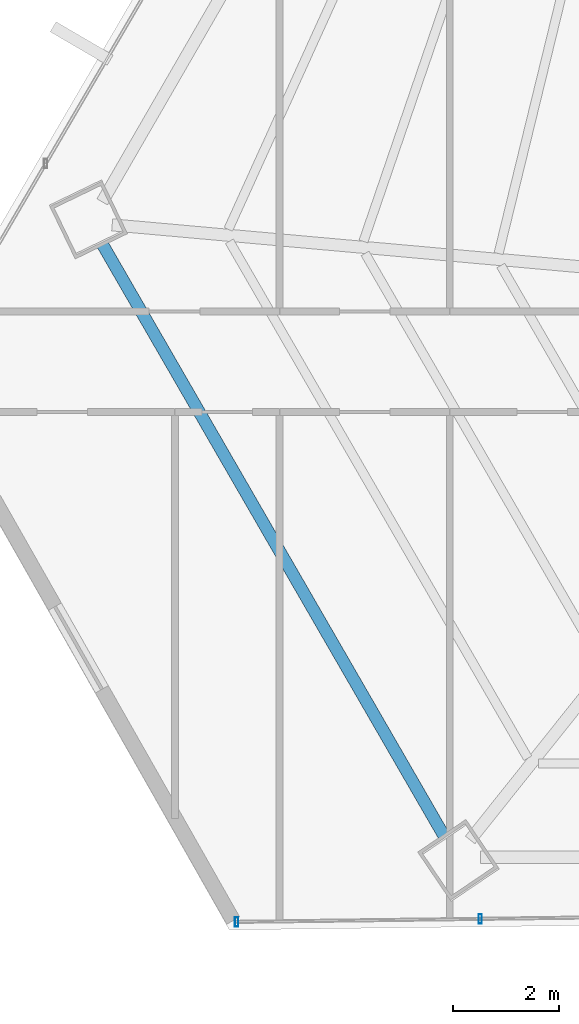
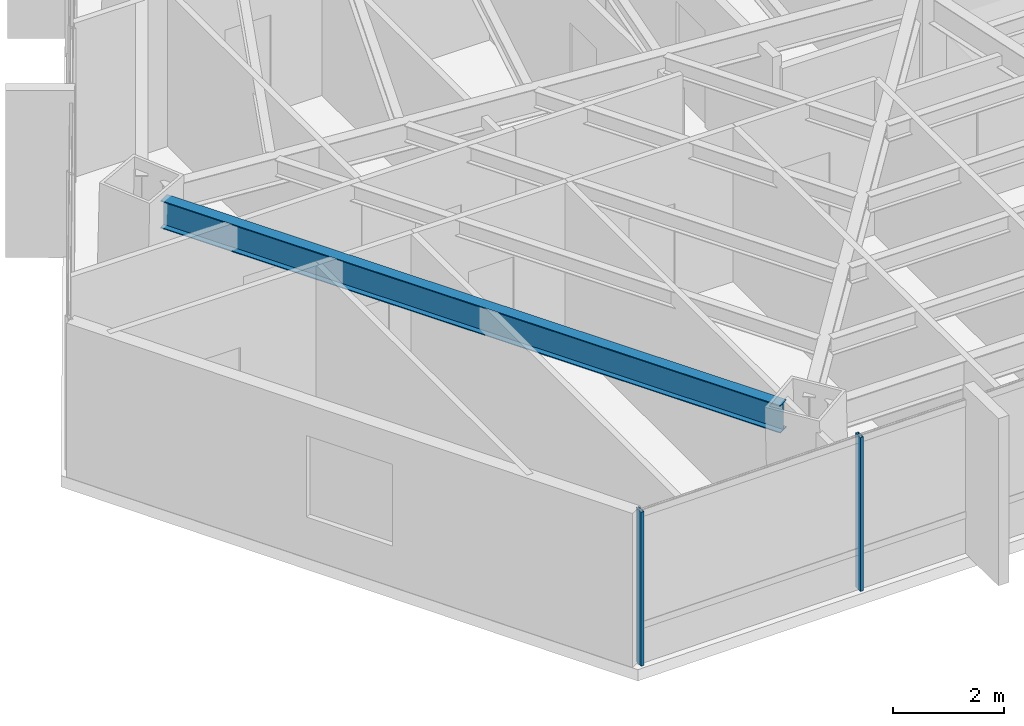
# One storey, part 2 of 35: 2 members, 1 beam, 1 element without a shape of its own.
"""IFC4 building model written with IfcOpenShell, lengths in metres."""

from ifc_helpers import new_model, si_unit, direction, frame, origin, origin_2d, place, context, subcontext, project, spatial, hollow_rectangle, i_section, extrude, source, transform, mapped, material, material_profile, profile_set, type_object, type_shapes, element, aggregate, save


model = new_model("IFC4")

# Units and contexts
model_context = context("Model", 3, precision=1e-05, world=origin(), true_north=direction((0.0, 1.0)))
body_context = subcontext(model_context, "Body", "Model", "MODEL_VIEW")
ifc_project = project(units=[si_unit("LENGTHUNIT", "METRE"), si_unit("AREAUNIT", "SQUARE_METRE"), si_unit("VOLUMEUNIT", "CUBIC_METRE"), si_unit("PLANEANGLEUNIT", "RADIAN"), si_unit("MASSUNIT", "GRAM", prefix="KILO")], contexts=[model_context])

# Site, building, storey
site_placement = place(None, origin())
site = spatial("IfcSite", under=ifc_project, at=site_placement, CompositionType="ELEMENT")
building_placement = place(site_placement, origin())
building = spatial("IfcBuilding", under=site, at=building_placement, Name="Caelisora Broadcast Tower", CompositionType="ELEMENT")
storey_placement = place(building_placement, frame((0.0, 0.0, 123.64990234375)))
storey = spatial("IfcBuildingStorey", under=building, at=storey_placement, Name="L32", CompositionType="ELEMENT", Elevation=123.64990234375)

# Beam
ifc_material_1 = material(Name="Steel Grade 350 (AS/NZS 3679.1)", Category="steel")
ifc_material_profile_1 = material_profile(ifc_material_1, i_section(OverallWidth=0.22900390625, OverallDepth=0.611572265625, WebThickness=0.011962890625, FlangeThickness=0.01953125, at=origin_2d()), Name="Steel Grade 350 (AS/NZS 3679.1)")
ifc_profile_set_1 = profile_set([ifc_material_profile_1], Name="Steel Grade 350 (AS/NZS 3679.1)")
beam_type = type_object("IfcBeamType", Name="PG03", PredefinedType="BEAM", material=ifc_profile_set_1)
shared_shape_1 = source(origin(), body_context, "Body", "SweptSolid", [
    extrude(i_section(OverallWidth=0.22900390625, OverallDepth=0.611572265625, WebThickness=0.011962890625, FlangeThickness=0.01953125, at=origin_2d()), origin(), (0.0, 0.0, 1.0), 12.93994140625),
])
type_shapes(beam_type, [shared_shape_1])
beam_placement = place(storey_placement, frame((15.324951171875, 18.37939453125, 3.09423828125), z_axis=(0.500000640928, -0.866025033744, 0.0), x_axis=(0.866025033744, 0.500000640928, 0.0)))
element("IfcBeam", 1, at=beam_placement, inside=storey, type_object=beam_type, Name="L32 beam PG03", PredefinedType="BEAM", context=body_context, shape_type="MappedRepresentation", body=[
    mapped(shared_shape_1, transform((0.0, 0.0, 0.0), scale=1.0)),
])

# Curtain wall, members
ifc_material_2 = material(Name="Unitised Aluminium and Low-E Glass Curtain Wall", Category="glass")
curtain_wall_type = type_object("IfcCurtainWallType", Name="CW-Z2", PredefinedType="NOTDEFINED", material=ifc_material_2)
curtain_wall_placement = place(storey_placement, origin())
curtain_wall = element("IfcCurtainWall", 2, at=curtain_wall_placement, inside=storey, type_object=curtain_wall_type, Name="L32 curtain wall CW-Z2", PredefinedType="NOTDEFINED")
ifc_material_3 = material(Name="Aluminium 6063-T6 Anodised Terracotta Bronze", Category="aluminium")
ifc_material_profile_2 = material_profile(ifc_material_3, hollow_rectangle(XDim=0.06494140625, YDim=0.179931640625, WallThickness=0.00341796875, at=origin_2d()), Name="Aluminium 6063-T6 Anodised Terracotta Bronze")
ifc_profile_set_2 = profile_set([ifc_material_profile_2], Name="Aluminium 6063-T6 Anodised Terracotta Bronze")
member_type = type_object("IfcMemberType", Name="CWM-02", PredefinedType="MULLION", material=ifc_profile_set_2)
shared_shape_2 = source(origin(), body_context, "Body", "SweptSolid", [
    extrude(hollow_rectangle(XDim=0.06494140625, YDim=0.179931640625, WallThickness=0.00341796875, at=origin_2d()), origin(), (0.0, 0.0, 1.0), 3.400146484375),
])
type_shapes(member_type, [shared_shape_2])
member_1_placement = place(storey_placement, frame((22.4775390625, 5.610107421875, 0.0), z_axis=(0.0, 0.0, 1.0), x_axis=(1.0, 0.0, 0.0)))
member_1 = element("IfcMember", 3, at=member_1_placement, type_object=member_type, Name="L32-CW-B07 mullion #2", PredefinedType="MULLION", context=body_context, shape_type="MappedRepresentation", body=[
    mapped(shared_shape_2, transform((0.0, 0.0, 0.0), scale=1.0)),
])
member_2_placement = place(storey_placement, frame((17.866943359375, 5.552490234375, 0.0), z_axis=(0.0, 0.0, 1.0), x_axis=(1.0, 0.0, 0.0)))
member_2 = element("IfcMember", 4, at=member_2_placement, type_object=member_type, Name="L32-CW-B07 mullion #3", PredefinedType="MULLION", context=body_context, shape_type="MappedRepresentation", body=[
    mapped(shared_shape_2, transform((0.0, 0.0, 0.0), scale=1.0)),
])
aggregate(curtain_wall, [member_1, member_2])

save(model, "model.ifc")
